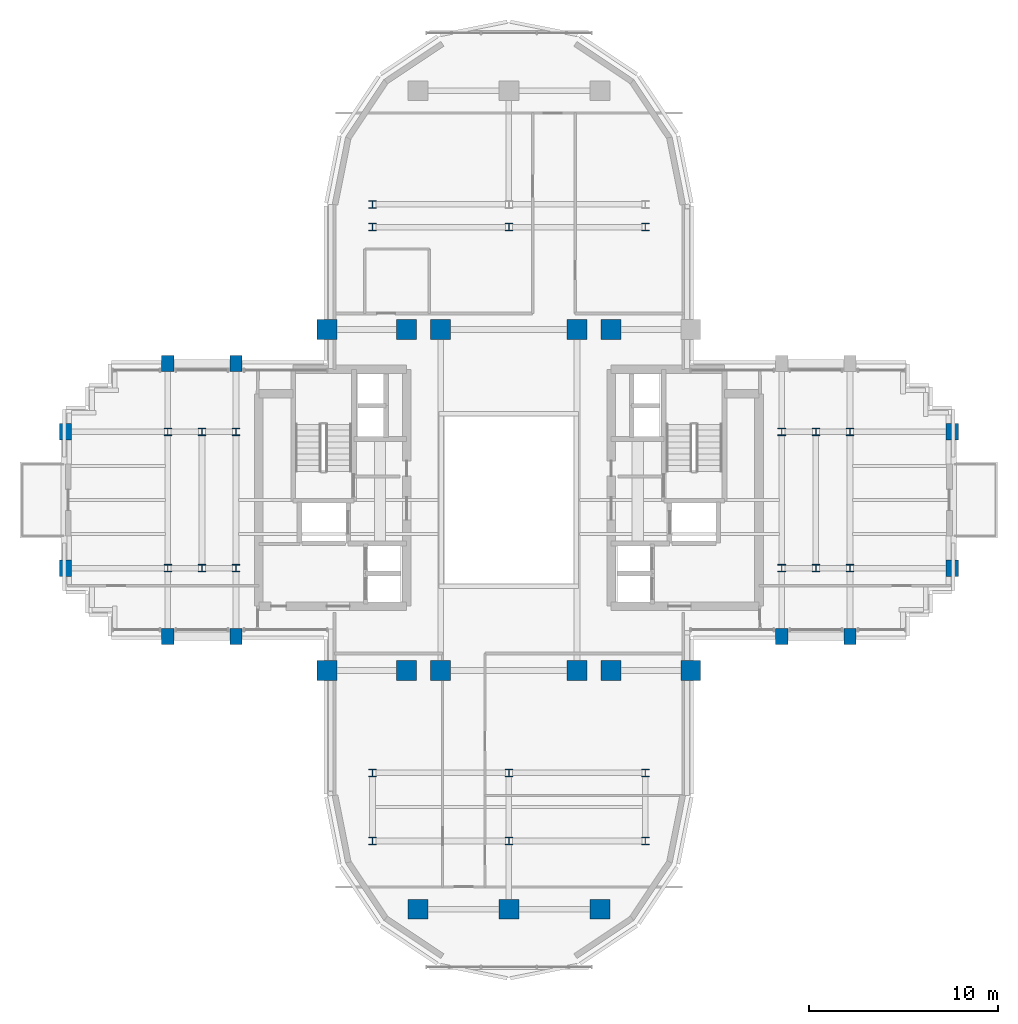
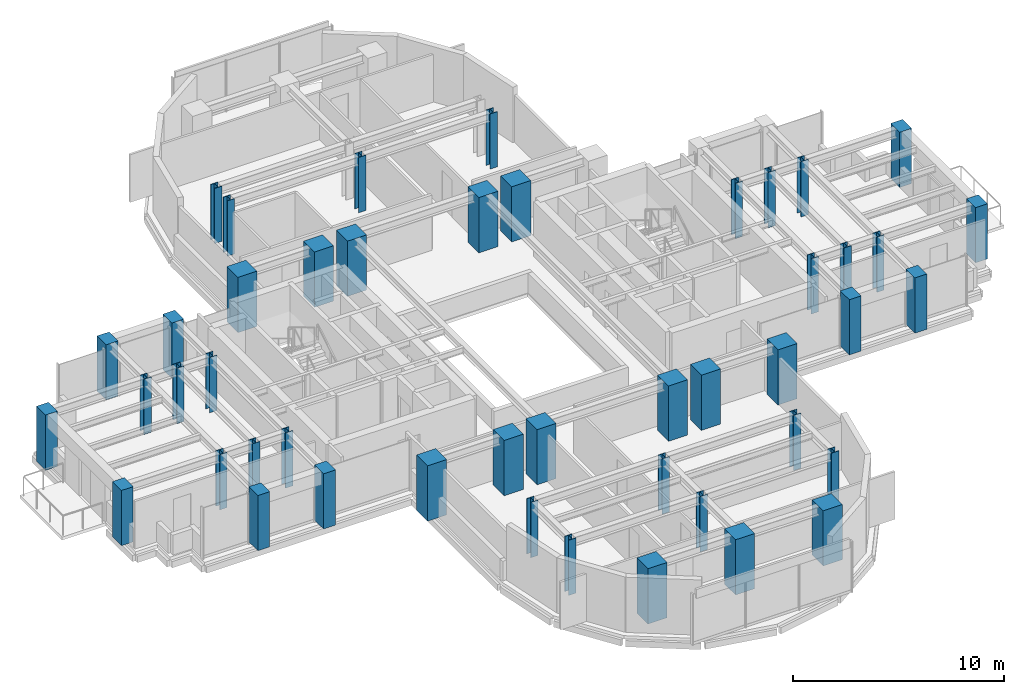
# One storey, part 1 of 13: 46 columns.
"""IFC4 building model written with IfcOpenShell, lengths in metres."""

from ifc_helpers import new_model, si_unit, direction, frame, origin, origin_2d, place, context, subcontext, project, spatial, rectangle, i_section, extrude, source, transform, mapped, material, material_profile, profile_set, type_object, element, save


model = new_model("IFC4")

# Units and contexts
model_context = context("Model", 3, precision=1e-05, world=origin(), true_north=direction((0.0, 1.0)))
body_context = subcontext(model_context, "Body", "Model", "MODEL_VIEW")
ifc_project = project(units=[si_unit("LENGTHUNIT", "METRE"), si_unit("AREAUNIT", "SQUARE_METRE"), si_unit("VOLUMEUNIT", "CUBIC_METRE"), si_unit("PLANEANGLEUNIT", "RADIAN"), si_unit("MASSUNIT", "GRAM", prefix="KILO")], contexts=[model_context])

# Site, building, storey
site_placement = place(None, origin())
site = spatial("IfcSite", under=ifc_project, at=site_placement, CompositionType="ELEMENT")
building_placement = place(site_placement, origin())
building = spatial("IfcBuilding", under=site, at=building_placement, Name="Keilestroom Media Tower", CompositionType="ELEMENT")
storey_placement = place(building_placement, frame((0.0, 0.0, 104.0)))
storey = spatial("IfcBuildingStorey", under=building, at=storey_placement, Name="L27", CompositionType="ELEMENT", Elevation=104.0)

# Columns
ifc_material_1 = material(Name="Precast concrete C40/50", Category="concrete")
ifc_material_profile_1 = material_profile(ifc_material_1, rectangle(XDim=0.64990234375, YDim=0.85009765625, at=origin_2d()), Name="PC 850x650")
ifc_profile_set_1 = profile_set([ifc_material_profile_1], Name="Precast concrete C40/50")
column_type_1 = type_object("IfcColumnType", Name="Structural-Column-PC-850x650", PredefinedType="COLUMN", material=ifc_profile_set_1)
shared_shape_1 = source(origin(), body_context, "Body", "SweptSolid", [
    extrude(rectangle(XDim=0.64990234375, YDim=0.85009765625, at=origin_2d()), origin(), (0.0, 0.0, 1.0), 3.199951171875),
])
for number, where, z_axis, x_axis, name in (
    (1, (-23.39990234375, -3.60009765625, 0.0), (0.0, 0.0, 1.0), (1.0, 0.0, 0.0), "L27 Column PC-2 (-23.4,-3.6)"),
    (2, (-23.39990234375, 3.60009765625, 0.0), (0.0, 0.0, 1.0), (1.0, 0.0, 0.0), "L27 Column PC-2 (-23.4,+3.6)"),
    (3, (-18.0, -7.199951171875, 0.0), (0.0, 0.0, 1.0), (1.0, 0.0, 0.0), "L27 Column PC-2 (-18.0,-7.2)"),
    (4, (-18.0, 7.199951171875, 0.0), (0.0, 0.0, 1.0), (1.0, 0.0, 0.0), "L27 Column PC-2 (-18.0,+7.2)"),
    (5, (-14.39990234375, -7.199951171875, 0.0), (0.0, 0.0, 1.0), (1.0, 0.0, 0.0), "L27 Column PC-2 (-14.4,-7.2)"),
    (6, (-14.39990234375, 7.199951171875, 0.0), (0.0, 0.0, 1.0), (1.0, 0.0, 0.0), "L27 Column PC-2 (-14.4,+7.2)"),
    (7, (14.39990234375, -7.199951171875, 0.0), (0.0, 0.0, 1.0), (1.0, 0.0, 0.0), "L27 Column PC-2 (+14.4,-7.2)"),
    (8, (18.0, -7.199951171875, 0.0), (0.0, 0.0, 1.0), (1.0, 0.0, 0.0), "L27 Column PC-2 (+18.0,-7.2)"),
    (9, (23.39990234375, -3.60009765625, 0.0), (0.0, 0.0, 1.0), (1.0, 0.0, 0.0), "L27 Column PC-2 (+23.4,-3.6)"),
    (10, (23.39990234375, 3.60009765625, 0.0), (0.0, 0.0, 1.0), (1.0, 0.0, 0.0), "L27 Column PC-2 (+23.4,+3.6)"),
):
    element("IfcColumn", number, at=place(storey_placement, frame(where, z_axis=z_axis, x_axis=x_axis)), inside=storey, type_object=column_type_1, Name=name, PredefinedType="COLUMN", context=body_context, shape_type="MappedRepresentation", body=[
        mapped(shared_shape_1, transform((0.0, 0.0, 0.0), x_axis=(1.0, 0.0, 0.0), y_axis=(0.0, 1.0, 0.0), z_axis=(0.0, 0.0, 1.0), scale=1.0)),
    ])
ifc_material_2 = material(Name="Steel S355", Category="steel")
ifc_material_profile_2 = material_profile(ifc_material_2, i_section(OverallWidth=0.40087890625, OverallDepth=0.39892578125, WebThickness=0.02001953125, FlangeThickness=0.031982421875, at=origin_2d()), Name="HD 400x314")
ifc_profile_set_2 = profile_set([ifc_material_profile_2], Name="Steel S355")
column_type_2 = type_object("IfcColumnType", Name="Structural-Column-HD-400x314", PredefinedType="COLUMN", material=ifc_profile_set_2)
shared_shape_2 = source(origin(), body_context, "Body", "SweptSolid", [
    extrude(i_section(OverallWidth=0.40087890625, OverallDepth=0.39892578125, WebThickness=0.02001953125, FlangeThickness=0.031982421875, at=origin_2d()), origin(), (0.0, 0.0, 1.0), 3.199951171875),
])
for number, where, z_axis, x_axis, name in (
    (11, (-18.0, -3.60009765625, 0.0), (0.0, 0.0, 1.0), (1.0, 0.0, 0.0), "L27 Column SC-3 (-18.0,-3.6)"),
    (12, (-18.0, 3.60009765625, 0.0), (0.0, 0.0, 1.0), (1.0, 0.0, 0.0), "L27 Column SC-3 (-18.0,+3.6)"),
    (13, (-16.199951171875, -3.60009765625, 0.0), (0.0, 0.0, 1.0), (1.0, 0.0, 0.0), "L27 Column SC-3 (-16.2,-3.6)"),
    (14, (-16.199951171875, 3.60009765625, 0.0), (0.0, 0.0, 1.0), (1.0, 0.0, 0.0), "L27 Column SC-3 (-16.2,+3.6)"),
    (15, (-14.39990234375, -3.60009765625, 0.0), (0.0, 0.0, 1.0), (1.0, 0.0, 0.0), "L27 Column SC-3 (-14.4,-3.6)"),
    (16, (-14.39990234375, 3.60009765625, 0.0), (0.0, 0.0, 1.0), (1.0, 0.0, 0.0), "L27 Column SC-3 (-14.4,+3.6)"),
    (17, (-7.199951171875, -18.0, 0.0), (0.0, 0.0, 1.0), (1.0, 0.0, 0.0), "L27 Column SC-3 (-7.2,-18.0)"),
    (18, (-7.199951171875, -14.39990234375, 0.0), (0.0, 0.0, 1.0), (1.0, 0.0, 0.0), "L27 Column SC-3 (-7.2,-14.4)"),
    (19, (-7.199951171875, 14.39990234375, 0.0), (0.0, 0.0, 1.0), (1.0, 0.0, 0.0), "L27 Column SC-3 (-7.2,+14.4)"),
    (20, (-7.199951171875, 15.60009765625, 0.0), (0.0, 0.0, 1.0), (1.0, 0.0, 0.0), "L27 Column SC-3 (-7.2,+15.6)"),
    (21, (0.0, -18.0, 0.0), (0.0, 0.0, 1.0), (1.0, 0.0, 0.0), "L27 Column SC-3 (+0.0,-18.0)"),
    (22, (0.0, -14.39990234375, 0.0), (0.0, 0.0, 1.0), (1.0, 0.0, 0.0), "L27 Column SC-3 (+0.0,-14.4)"),
    (23, (0.0, 14.39990234375, 0.0), (0.0, 0.0, 1.0), (1.0, 0.0, 0.0), "L27 Column SC-3 (+0.0,+14.4)"),
    (24, (7.199951171875, -18.0, 0.0), (0.0, 0.0, 1.0), (1.0, 0.0, 0.0), "L27 Column SC-3 (+7.2,-18.0)"),
    (25, (7.199951171875, -14.39990234375, 0.0), (0.0, 0.0, 1.0), (1.0, 0.0, 0.0), "L27 Column SC-3 (+7.2,-14.4)"),
    (26, (7.199951171875, 14.39990234375, 0.0), (0.0, 0.0, 1.0), (1.0, 0.0, 0.0), "L27 Column SC-3 (+7.2,+14.4)"),
    (27, (14.39990234375, -3.60009765625, 0.0), (0.0, 0.0, 1.0), (1.0, 0.0, 0.0), "L27 Column SC-3 (+14.4,-3.6)"),
    (28, (14.39990234375, 3.60009765625, 0.0), (0.0, 0.0, 1.0), (1.0, 0.0, 0.0), "L27 Column SC-3 (+14.4,+3.6)"),
    (29, (16.199951171875, -3.60009765625, 0.0), (0.0, 0.0, 1.0), (1.0, 0.0, 0.0), "L27 Column SC-3 (+16.2,-3.6)"),
    (30, (16.199951171875, 3.60009765625, 0.0), (0.0, 0.0, 1.0), (1.0, 0.0, 0.0), "L27 Column SC-3 (+16.2,+3.6)"),
    (31, (18.0, -3.60009765625, 0.0), (0.0, 0.0, 1.0), (1.0, 0.0, 0.0), "L27 Column SC-3 (+18.0,-3.6)"),
    (32, (18.0, 3.60009765625, 0.0), (0.0, 0.0, 1.0), (1.0, 0.0, 0.0), "L27 Column SC-3 (+18.0,+3.6)"),
):
    element("IfcColumn", number, at=place(storey_placement, frame(where, z_axis=z_axis, x_axis=x_axis)), inside=storey, type_object=column_type_2, Name=name, PredefinedType="COLUMN", context=body_context, shape_type="MappedRepresentation", body=[
        mapped(shared_shape_2, transform((0.0, 0.0, 0.0), x_axis=(1.0, 0.0, 0.0), y_axis=(0.0, 1.0, 0.0), z_axis=(0.0, 0.0, 1.0), scale=1.0)),
    ])
ifc_material_3 = material(Name="Concrete C55/67", Category="concrete")
ifc_material_profile_3 = material_profile(ifc_material_3, rectangle(XDim=1.050048828125, YDim=1.050048828125, at=origin_2d()), Name="RC 1050x1050")
ifc_profile_set_3 = profile_set([ifc_material_profile_3], Name="Concrete C55/67")
column_type_3 = type_object("IfcColumnType", Name="Structural-Column-RC-1050x1050", PredefinedType="COLUMN", material=ifc_profile_set_3)
shared_shape_3 = source(origin(), body_context, "Body", "SweptSolid", [
    extrude(rectangle(XDim=1.050048828125, YDim=1.050048828125, at=origin_2d()), origin(), (0.0, 0.0, 1.0), 3.199951171875),
])
for number, where, z_axis, x_axis, name in (
    (33, (-9.60009765625, -9.0, 0.0), (0.0, 0.0, 1.0), (1.0, 0.0, 0.0), "L27 Column MC-3 (-9.6,-9.0)"),
    (34, (-9.60009765625, 9.0, 0.0), (0.0, 0.0, 1.0), (1.0, 0.0, 0.0), "L27 Column MC-3 (-9.6,+9.0)"),
    (35, (-5.39990234375, -9.0, 0.0), (0.0, 0.0, 1.0), (1.0, 0.0, 0.0), "L27 Column MC-3 (-5.4,-9.0)"),
    (36, (-5.39990234375, 9.0, 0.0), (0.0, 0.0, 1.0), (1.0, 0.0, 0.0), "L27 Column MC-3 (-5.4,+9.0)"),
    (37, (-4.800048828125, -21.60009765625, 0.0), (0.0, 0.0, 1.0), (1.0, 0.0, 0.0), "L27 Column MC-3 (-4.8,-21.6)"),
    (38, (-3.60009765625, -9.0, 0.0), (0.0, 0.0, 1.0), (1.0, 0.0, 0.0), "L27 Column MC-3 (-3.6,-9.0)"),
    (39, (-3.60009765625, 9.0, 0.0), (0.0, 0.0, 1.0), (1.0, 0.0, 0.0), "L27 Column MC-3 (-3.6,+9.0)"),
    (40, (0.0, -21.60009765625, 0.0), (0.0, 0.0, 1.0), (1.0, 0.0, 0.0), "L27 Column MC-3 (+0.0,-21.6)"),
    (41, (3.60009765625, -9.0, 0.0), (0.0, 0.0, 1.0), (1.0, 0.0, 0.0), "L27 Column MC-3 (+3.6,-9.0)"),
    (42, (3.60009765625, 9.0, 0.0), (0.0, 0.0, 1.0), (1.0, 0.0, 0.0), "L27 Column MC-3 (+3.6,+9.0)"),
    (43, (4.800048828125, -21.60009765625, 0.0), (0.0, 0.0, 1.0), (1.0, 0.0, 0.0), "L27 Column MC-3 (+4.8,-21.6)"),
    (44, (5.39990234375, -9.0, 0.0), (0.0, 0.0, 1.0), (1.0, 0.0, 0.0), "L27 Column MC-3 (+5.4,-9.0)"),
    (45, (5.39990234375, 9.0, 0.0), (0.0, 0.0, 1.0), (1.0, 0.0, 0.0), "L27 Column MC-3 (+5.4,+9.0)"),
    (46, (9.60009765625, -9.0, 0.0), (0.0, 0.0, 1.0), (1.0, 0.0, 0.0), "L27 Column MC-3 (+9.6,-9.0)"),
):
    element("IfcColumn", number, at=place(storey_placement, frame(where, z_axis=z_axis, x_axis=x_axis)), inside=storey, type_object=column_type_3, Name=name, PredefinedType="COLUMN", context=body_context, shape_type="MappedRepresentation", body=[
        mapped(shared_shape_3, transform((0.0, 0.0, 0.0), x_axis=(1.0, 0.0, 0.0), y_axis=(0.0, 1.0, 0.0), z_axis=(0.0, 0.0, 1.0), scale=1.0)),
    ])

save(model, "model.ifc")
